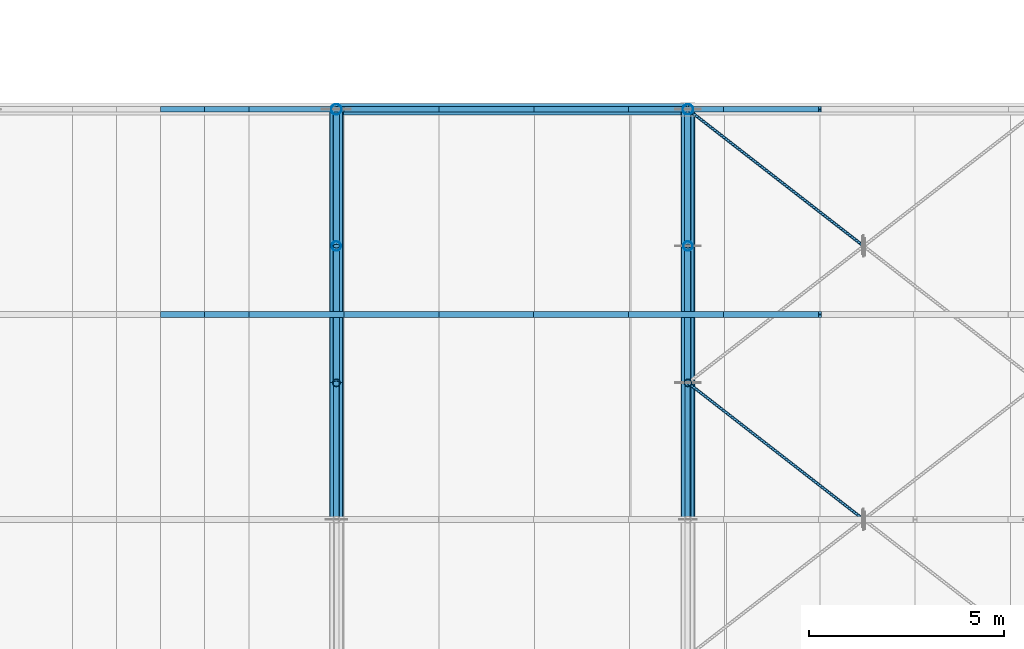
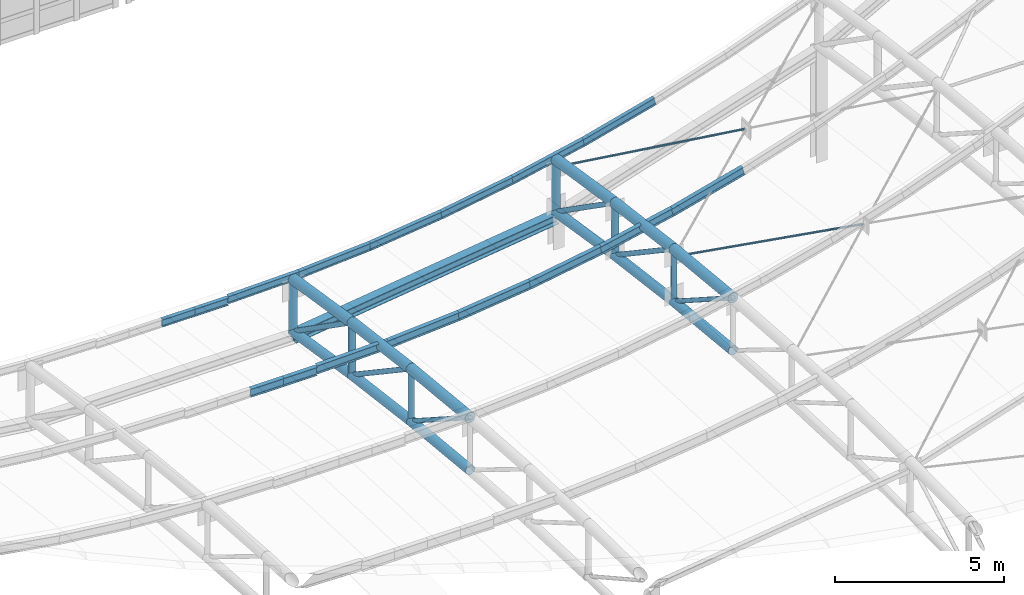
# One storey, part 54 of 262: 42 members, 1 beam.
"""IFC4 building model written with IfcOpenShell, lengths in metres."""

from ifc_helpers import new_model, si_unit, derived_unit, direction, frame, origin, origin_2d, place, context, subcontext, project, spatial, hollow_circle, i_section, extrude, material, material_profile, profile_set, type_object, element, save


model = new_model("IFC4")

# Units and contexts
model_context = context("Model", 3, precision=1e-05, world=origin(), true_north=direction((0.0, 1.0)))
body_context = subcontext(model_context, "Body", "Model", "MODEL_VIEW")
ifc_project = project(units=[si_unit("LENGTHUNIT", "METRE"), si_unit("AREAUNIT", "SQUARE_METRE"), si_unit("VOLUMEUNIT", "CUBIC_METRE"), si_unit("PLANEANGLEUNIT", "RADIAN"), si_unit("MASSUNIT", "GRAM", prefix="KILO"), derived_unit("THERMALTRANSMITTANCEUNIT", [(si_unit("POWERUNIT", "WATT"), 1), (si_unit("LENGTHUNIT", "METRE"), -2), (si_unit("THERMODYNAMICTEMPERATUREUNIT", "KELVIN"), -1)])], contexts=[model_context])

# Site, building, storey
site_placement = place(None, origin())
site = spatial("IfcSite", under=ifc_project, at=site_placement, CompositionType="ELEMENT")
building_placement = place(site_placement, origin())
building = spatial("IfcBuilding", under=site, at=building_placement, Name="Almenara Railside Exhibition Hall", CompositionType="ELEMENT")
storey_placement = place(building_placement, frame((0.0, 0.0, 21.699951171875)))
storey = spatial("IfcBuildingStorey", under=building, at=storey_placement, Name="RF", CompositionType="ELEMENT", Elevation=21.699951171875)

# Members
ifc_material = material(Name="Structural steel S355JR", Category="steel")
ifc_material_profile_1 = material_profile(ifc_material, i_section(OverallWidth=0.14990234375, OverallDepth=0.300048828125, WebThickness=0.007080078125, FlangeThickness=0.0107421875, FilletRadius=0.014892578125, at=origin_2d()), Name="IPE 300")
ifc_profile_set_1 = profile_set([ifc_material_profile_1], Name="Structural steel S355JR")
member_type_1 = type_object("IfcMemberType", Name="East Hall Ridge Purlin IPE 300 S355JR", PredefinedType="PURLIN", material=ifc_profile_set_1)
member_1_placement = place(storey_placement, frame((34.5, 36.75, -7.3916015625), z_axis=(1.0, 0.0, 0.0), x_axis=(0.0, 1.0, 0.0)))
element("IfcMember", 1, at=member_1_placement, inside=storey, type_object=member_type_1, Name="MEM-PR-V4-PR-IPE300-07-14", PredefinedType="PURLIN", context=body_context, shape_type="SweptSolid", body=[
    extrude(i_section(OverallWidth=0.14990234375, OverallDepth=0.300048828125, WebThickness=0.007080078125, FlangeThickness=0.0107421875, FilletRadius=0.014892578125, at=origin_2d()), origin(), (0.0, 0.0, 1.0), 1.1298828125),
])
member_2_placement = place(storey_placement, frame((35.6298828125, 36.75, -7.3916015625), z_axis=(1.0, 0.0, 0.0), x_axis=(0.0, 1.0, 0.0)))
element("IfcMember", 2, at=member_2_placement, inside=storey, type_object=member_type_1, Name="MEM-PR-V4-PR-IPE300-07-15", PredefinedType="PURLIN", context=body_context, shape_type="SweptSolid", body=[
    extrude(i_section(OverallWidth=0.14990234375, OverallDepth=0.300048828125, WebThickness=0.007080078125, FlangeThickness=0.0107421875, FilletRadius=0.014892578125, at=origin_2d()), origin(), (0.0, 0.0, 1.0), 1.129638671875),
])
member_3_placement = place(storey_placement, frame((36.759521484375, 36.75, -7.34130859375), z_axis=(0.999725289903, 0.0, 0.023438104182), x_axis=(0.0, 1.0, 0.0)))
element("IfcMember", 3, at=member_3_placement, inside=storey, type_object=member_type_1, Name="MEM-PR-V4-PR-IPE300-07-16", PredefinedType="PURLIN", context=body_context, shape_type="SweptSolid", body=[
    extrude(i_section(OverallWidth=0.14990234375, OverallDepth=0.300048828125, WebThickness=0.007080078125, FlangeThickness=0.0107421875, FilletRadius=0.014892578125, at=origin_2d()), origin(), (0.0, 0.0, 1.0), 2.4375),
])
member_4_placement = place(storey_placement, frame((39.1962890625, 36.75, -7.28515625), z_axis=(0.997521719737, 0.0, 0.070359211571), x_axis=(0.0, 1.0, 0.0)))
element("IfcMember", 4, at=member_4_placement, inside=storey, type_object=member_type_1, Name="MEM-PR-V4-PR-IPE300-07-17", PredefinedType="PURLIN", context=body_context, shape_type="SweptSolid", body=[
    extrude(i_section(OverallWidth=0.14990234375, OverallDepth=0.300048828125, WebThickness=0.007080078125, FlangeThickness=0.0107421875, FilletRadius=0.014892578125, at=origin_2d()), origin(), (0.0, 0.0, 1.0), 2.44287109375),
])
member_5_placement = place(storey_placement, frame((41.633056640625, 36.75, -7.11474609375), z_axis=(0.993117280569, 0.0, 0.117124152227), x_axis=(0.0, 1.0, 0.0)))
element("IfcMember", 5, at=member_5_placement, inside=storey, type_object=member_type_1, Name="MEM-PR-V4-PR-IPE300-07-18", PredefinedType="PURLIN", context=body_context, shape_type="SweptSolid", body=[
    extrude(i_section(OverallWidth=0.14990234375, OverallDepth=0.300048828125, WebThickness=0.007080078125, FlangeThickness=0.0107421875, FilletRadius=0.014892578125, at=origin_2d()), origin(), (0.0, 0.0, 1.0), 2.453369140625),
])
member_6_placement = place(storey_placement, frame((44.069580078125, 36.75, -6.82958984375), z_axis=(0.986449960692, 0.0, 0.164062412058), x_axis=(0.0, 1.0, 0.0)))
element("IfcMember", 6, at=member_6_placement, inside=storey, type_object=member_type_1, Name="MEM-PR-V4-PR-IPE300-07-19", PredefinedType="PURLIN", context=body_context, shape_type="SweptSolid", body=[
    extrude(i_section(OverallWidth=0.14990234375, OverallDepth=0.300048828125, WebThickness=0.007080078125, FlangeThickness=0.0107421875, FilletRadius=0.014892578125, at=origin_2d()), origin(), (0.0, 0.0, 1.0), 2.47021484375),
])
member_7_placement = place(storey_placement, frame((46.50634765625, 36.75, -6.427734375), z_axis=(0.977496103583, 0.0, 0.210953472309), x_axis=(0.0, 1.0, 0.0)))
element("IfcMember", 7, at=member_7_placement, inside=storey, type_object=member_type_1, Name="MEM-PR-V4-PR-IPE300-07-20", PredefinedType="PURLIN", context=body_context, shape_type="SweptSolid", body=[
    extrude(i_section(OverallWidth=0.14990234375, OverallDepth=0.300048828125, WebThickness=0.007080078125, FlangeThickness=0.0107421875, FilletRadius=0.014892578125, at=origin_2d()), origin(), (0.0, 0.0, 1.0), 2.492919921875),
])
member_8_placement = place(storey_placement, frame((48.943115234375, 36.75, -5.906005859375), z_axis=(0.966201190487, 0.0, 0.257789176462), x_axis=(0.0, 1.0, 0.0)))
element("IfcMember", 8, at=member_8_placement, inside=storey, type_object=member_type_1, Name="MEM-PR-V4-PR-IPE300-07-21", PredefinedType="PURLIN", context=body_context, shape_type="SweptSolid", body=[
    extrude(i_section(OverallWidth=0.14990234375, OverallDepth=0.300048828125, WebThickness=0.007080078125, FlangeThickness=0.0107421875, FilletRadius=0.014892578125, at=origin_2d()), origin(), (0.0, 0.0, 1.0), 2.52197265625),
])
ifc_material_profile_2 = material_profile(ifc_material, i_section(OverallWidth=0.135009765625, OverallDepth=0.27001953125, WebThickness=0.006591796875, FlangeThickness=0.01025390625, FilletRadius=0.014892578125, at=origin_2d()), Name="IPE 270")
ifc_profile_set_2 = profile_set([ifc_material_profile_2], Name="Structural steel S355JR")
member_type_2 = type_object("IfcMemberType", Name="East Hall Standard Purlin IPE 270 S355JR", PredefinedType="PURLIN", material=ifc_profile_set_2)
member_9_placement = place(storey_placement, frame((34.5, 42.0, -8.0546875), z_axis=(1.0, 0.0, 0.0), x_axis=(0.0, 1.0, 0.0)))
element("IfcMember", 9, at=member_9_placement, inside=storey, type_object=member_type_2, Name="MEM-PR-V4-PR-IPE270-08-14", PredefinedType="PURLIN", context=body_context, shape_type="SweptSolid", body=[
    extrude(i_section(OverallWidth=0.135009765625, OverallDepth=0.27001953125, WebThickness=0.006591796875, FlangeThickness=0.01025390625, FilletRadius=0.014892578125, at=origin_2d()), origin(), (0.0, 0.0, 1.0), 1.1298828125),
])
member_10_placement = place(storey_placement, frame((35.6298828125, 42.0, -8.0546875), z_axis=(1.0, 0.0, 0.0), x_axis=(0.0, 1.0, 0.0)))
element("IfcMember", 10, at=member_10_placement, inside=storey, type_object=member_type_2, Name="MEM-PR-V4-PR-IPE270-08-15", PredefinedType="PURLIN", context=body_context, shape_type="SweptSolid", body=[
    extrude(i_section(OverallWidth=0.135009765625, OverallDepth=0.27001953125, WebThickness=0.006591796875, FlangeThickness=0.01025390625, FilletRadius=0.014892578125, at=origin_2d()), origin(), (0.0, 0.0, 1.0), 1.129638671875),
])
member_11_placement = place(storey_placement, frame((36.759521484375, 42.0, -8.00390625), z_axis=(0.999725289903, 0.0, 0.023438104182), x_axis=(0.0, 1.0, 0.0)))
element("IfcMember", 11, at=member_11_placement, inside=storey, type_object=member_type_2, Name="MEM-PR-V4-PR-IPE270-08-16", PredefinedType="PURLIN", context=body_context, shape_type="SweptSolid", body=[
    extrude(i_section(OverallWidth=0.135009765625, OverallDepth=0.27001953125, WebThickness=0.006591796875, FlangeThickness=0.01025390625, FilletRadius=0.014892578125, at=origin_2d()), origin(), (0.0, 0.0, 1.0), 2.4375),
])
member_12_placement = place(storey_placement, frame((39.1962890625, 42.0, -7.947509765625), z_axis=(0.997528729247, 0.0, 0.070259763216), x_axis=(0.0, 1.0, 0.0)))
element("IfcMember", 12, at=member_12_placement, inside=storey, type_object=member_type_2, Name="MEM-PR-V4-PR-IPE270-08-17", PredefinedType="PURLIN", context=body_context, shape_type="SweptSolid", body=[
    extrude(i_section(OverallWidth=0.135009765625, OverallDepth=0.27001953125, WebThickness=0.006591796875, FlangeThickness=0.01025390625, FilletRadius=0.014892578125, at=origin_2d()), origin(), (0.0, 0.0, 1.0), 2.44287109375),
])
member_13_placement = place(storey_placement, frame((41.633056640625, 42.0, -7.77734375), z_axis=(0.993105700961, 0.0, 0.117222296166), x_axis=(0.0, 1.0, 0.0)))
element("IfcMember", 13, at=member_13_placement, inside=storey, type_object=member_type_2, Name="MEM-PR-V4-PR-IPE270-08-18", PredefinedType="PURLIN", context=body_context, shape_type="SweptSolid", body=[
    extrude(i_section(OverallWidth=0.135009765625, OverallDepth=0.27001953125, WebThickness=0.006591796875, FlangeThickness=0.01025390625, FilletRadius=0.014892578125, at=origin_2d()), origin(), (0.0, 0.0, 1.0), 2.453369140625),
])
member_14_placement = place(storey_placement, frame((44.069580078125, 42.0, -7.4921875), z_axis=(0.986449960692, 0.0, 0.164062412058), x_axis=(0.0, 1.0, 0.0)))
element("IfcMember", 14, at=member_14_placement, inside=storey, type_object=member_type_2, Name="MEM-PR-V4-PR-IPE270-08-19", PredefinedType="PURLIN", context=body_context, shape_type="SweptSolid", body=[
    extrude(i_section(OverallWidth=0.135009765625, OverallDepth=0.27001953125, WebThickness=0.006591796875, FlangeThickness=0.01025390625, FilletRadius=0.014892578125, at=origin_2d()), origin(), (0.0, 0.0, 1.0), 2.47021484375),
])
member_15_placement = place(storey_placement, frame((46.50634765625, 42.0, -7.08984375), z_axis=(0.977516294467, 0.0, 0.210859891994), x_axis=(0.0, 1.0, 0.0)))
element("IfcMember", 15, at=member_15_placement, inside=storey, type_object=member_type_2, Name="MEM-PR-V4-PR-IPE270-08-20", PredefinedType="PURLIN", context=body_context, shape_type="SweptSolid", body=[
    extrude(i_section(OverallWidth=0.135009765625, OverallDepth=0.27001953125, WebThickness=0.006591796875, FlangeThickness=0.01025390625, FilletRadius=0.014892578125, at=origin_2d()), origin(), (0.0, 0.0, 1.0), 2.492919921875),
])
member_16_placement = place(storey_placement, frame((48.943115234375, 42.0, -6.568115234375), z_axis=(0.966201190487, 0.0, 0.257789176462), x_axis=(0.0, 1.0, 0.0)))
element("IfcMember", 16, at=member_16_placement, inside=storey, type_object=member_type_2, Name="MEM-PR-V4-PR-IPE270-08-21", PredefinedType="PURLIN", context=body_context, shape_type="SweptSolid", body=[
    extrude(i_section(OverallWidth=0.135009765625, OverallDepth=0.27001953125, WebThickness=0.006591796875, FlangeThickness=0.01025390625, FilletRadius=0.014892578125, at=origin_2d()), origin(), (0.0, 0.0, 1.0), 2.52197265625),
])
ifc_material_profile_3 = material_profile(ifc_material, hollow_circle(Radius=0.0380859375, WallThickness=0.003662109375, at=origin_2d()), Name="CHS 76.1x3.6")
ifc_profile_set_3 = profile_set([ifc_material_profile_3], Name="Structural steel S355JR")
member_type_3 = type_object("IfcMemberType", Name="Lantern Cross-Tie Brace CHS 76.1x3.6 S355JR", PredefinedType="BRACE", material=ifc_profile_set_3)
member_17_placement = place(storey_placement, frame((48.0, 35.0, -6.150634765625), z_axis=(0.755120122258, -0.587320234966, 0.291287731567), x_axis=(0.613943599375, 0.789349895031, 0.0)))
element("IfcMember", 17, at=member_17_placement, inside=storey, type_object=member_type_3, Name="MEM-WB-V4-WB-CHS76-05-08-S1", PredefinedType="BRACE", context=body_context, shape_type="SweptSolid", body=[
    extrude(hollow_circle(Radius=0.0380859375, WallThickness=0.003662109375, at=origin_2d()), origin(), (0.0, 0.0, 1.0), 5.917236328125),
])
member_18_placement = place(storey_placement, frame((48.0, 42.0, -7.150634765625), z_axis=(0.74742654043, -0.581345365763, 0.321544915006), x_axis=(0.613949570528, 0.789345250729, 0.0)))
element("IfcMember", 18, at=member_18_placement, inside=storey, type_object=member_type_3, Name="MEM-WB-V4-WB-CHS76-05-10-S1", PredefinedType="BRACE", context=body_context, shape_type="SweptSolid", body=[
    extrude(hollow_circle(Radius=0.0380859375, WallThickness=0.003662109375, at=origin_2d()), origin(), (0.0, 0.0, 1.0), 5.978515625),
])
ifc_material_profile_4 = material_profile(ifc_material, hollow_circle(Radius=0.161865234375, WallThickness=0.010009765625, at=origin_2d()), Name="CHS 323.9x10")
ifc_profile_set_4 = profile_set([ifc_material_profile_4], Name="Structural steel S355JR")
member_type_4 = type_object("IfcMemberType", Name="Plenary Truss Bottom Chord CHS 323.9x10 S355JR", PredefinedType="CHORD", material=ifc_profile_set_4)
member_19_placement = place(storey_placement, frame((39.0, 31.5, -8.6015625), z_axis=(0.0, 0.995034440995, -0.099531207337), x_axis=(-1.0, 0.0, 0.0)))
element("IfcMember", 19, at=member_19_placement, inside=storey, type_object=member_type_4, Name="MEM-BC-V4-04-09", PredefinedType="CHORD", context=body_context, shape_type="SweptSolid", body=[
    extrude(hollow_circle(Radius=0.161865234375, WallThickness=0.010009765625, at=origin_2d()), origin(), (0.0, 0.0, 1.0), 3.517578125),
])
member_20_placement = place(storey_placement, frame((39.0, 35.0, -8.95166015625), z_axis=(0.0, 0.991837525329, -0.127508130523), x_axis=(-1.0, 0.0, 0.0)))
element("IfcMember", 20, at=member_20_placement, inside=storey, type_object=member_type_4, Name="MEM-BC-V4-04-10", PredefinedType="CHORD", context=body_context, shape_type="SweptSolid", body=[
    extrude(hollow_circle(Radius=0.161865234375, WallThickness=0.010009765625, at=origin_2d()), origin(), (0.0, 0.0, 1.0), 3.52880859375),
])
member_21_placement = place(storey_placement, frame((39.0, 38.5, -9.401611328125), z_axis=(0.0, 0.987875011802, -0.155251283593), x_axis=(-1.0, 0.0, 0.0)))
element("IfcMember", 21, at=member_21_placement, inside=storey, type_object=member_type_4, Name="MEM-BC-V4-04-11", PredefinedType="CHORD", context=body_context, shape_type="SweptSolid", body=[
    extrude(hollow_circle(Radius=0.161865234375, WallThickness=0.010009765625, at=origin_2d()), origin(), (0.0, 0.0, 1.0), 3.54296875),
])
member_22_placement = place(storey_placement, frame((48.0, 31.5, -7.420654296875), z_axis=(0.0, 0.995041312637, -0.09946248612), x_axis=(-1.0, 0.0, 0.0)))
element("IfcMember", 22, at=member_22_placement, inside=storey, type_object=member_type_4, Name="MEM-BC-V4-05-09", PredefinedType="CHORD", context=body_context, shape_type="SweptSolid", body=[
    extrude(hollow_circle(Radius=0.161865234375, WallThickness=0.010009765625, at=origin_2d()), origin(), (0.0, 0.0, 1.0), 3.517333984375),
])
member_23_placement = place(storey_placement, frame((48.0, 35.0, -7.7705078125), z_axis=(0.0, 0.991837525329, -0.127508130523), x_axis=(-1.0, 0.0, 0.0)))
element("IfcMember", 23, at=member_23_placement, inside=storey, type_object=member_type_4, Name="MEM-BC-V4-05-10", PredefinedType="CHORD", context=body_context, shape_type="SweptSolid", body=[
    extrude(hollow_circle(Radius=0.161865234375, WallThickness=0.010009765625, at=origin_2d()), origin(), (0.0, 0.0, 1.0), 3.52880859375),
])
member_24_placement = place(storey_placement, frame((48.0, 38.5, -8.220458984375), z_axis=(0.0, 0.987875011802, -0.155251283593), x_axis=(-1.0, 0.0, 0.0)))
element("IfcMember", 24, at=member_24_placement, inside=storey, type_object=member_type_4, Name="MEM-BC-V4-05-11", PredefinedType="CHORD", context=body_context, shape_type="SweptSolid", body=[
    extrude(hollow_circle(Radius=0.161865234375, WallThickness=0.010009765625, at=origin_2d()), origin(), (0.0, 0.0, 1.0), 3.54296875),
])
ifc_material_profile_5 = material_profile(ifc_material, hollow_circle(Radius=0.177734375, WallThickness=0.012451171875, at=origin_2d()), Name="CHS 355.6x12.5")
ifc_profile_set_5 = profile_set([ifc_material_profile_5], Name="Structural steel S355JR")
member_type_5 = type_object("IfcMemberType", Name="Plenary Truss Top Chord CHS 355.6x12.5 S355JR", PredefinedType="CHORD", material=ifc_profile_set_5)
member_25_placement = place(storey_placement, frame((39.0, 31.5, -6.70166015625), z_axis=(0.0, 0.995034440995, -0.099531207337), x_axis=(-1.0, 0.0, 0.0)))
element("IfcMember", 25, at=member_25_placement, inside=storey, type_object=member_type_5, Name="MEM-TC-V4-04-09", PredefinedType="CHORD", context=body_context, shape_type="SweptSolid", body=[
    extrude(hollow_circle(Radius=0.177734375, WallThickness=0.012451171875, at=origin_2d()), origin(), (0.0, 0.0, 1.0), 3.517578125),
])
member_26_placement = place(storey_placement, frame((39.0, 35.0, -7.0517578125), z_axis=(0.0, 0.991837525329, -0.127508130523), x_axis=(-1.0, 0.0, 0.0)))
element("IfcMember", 26, at=member_26_placement, inside=storey, type_object=member_type_5, Name="MEM-TC-V4-04-10", PredefinedType="CHORD", context=body_context, shape_type="SweptSolid", body=[
    extrude(hollow_circle(Radius=0.177734375, WallThickness=0.012451171875, at=origin_2d()), origin(), (0.0, 0.0, 1.0), 3.52880859375),
])
member_27_placement = place(storey_placement, frame((39.0, 38.5, -7.501708984375), z_axis=(0.0, 0.987875011802, -0.155251283593), x_axis=(-1.0, 0.0, 0.0)))
element("IfcMember", 27, at=member_27_placement, inside=storey, type_object=member_type_5, Name="MEM-TC-V4-04-11", PredefinedType="CHORD", context=body_context, shape_type="SweptSolid", body=[
    extrude(hollow_circle(Radius=0.177734375, WallThickness=0.012451171875, at=origin_2d()), origin(), (0.0, 0.0, 1.0), 3.54296875),
])
member_28_placement = place(storey_placement, frame((48.0, 31.5, -5.5205078125), z_axis=(0.0, 0.995034440995, -0.099531207337), x_axis=(-1.0, 0.0, 0.0)))
element("IfcMember", 28, at=member_28_placement, inside=storey, type_object=member_type_5, Name="MEM-TC-V4-05-09", PredefinedType="CHORD", context=body_context, shape_type="SweptSolid", body=[
    extrude(hollow_circle(Radius=0.177734375, WallThickness=0.012451171875, at=origin_2d()), origin(), (0.0, 0.0, 1.0), 3.517578125),
])
member_29_placement = place(storey_placement, frame((48.0, 35.0, -5.87060546875), z_axis=(0.0, 0.991837525329, -0.127508130523), x_axis=(-1.0, 0.0, 0.0)))
element("IfcMember", 29, at=member_29_placement, inside=storey, type_object=member_type_5, Name="MEM-TC-V4-05-10", PredefinedType="CHORD", context=body_context, shape_type="SweptSolid", body=[
    extrude(hollow_circle(Radius=0.177734375, WallThickness=0.012451171875, at=origin_2d()), origin(), (0.0, 0.0, 1.0), 3.52880859375),
])
member_30_placement = place(storey_placement, frame((48.0, 38.5, -6.320556640625), z_axis=(0.0, 0.987875011802, -0.155251283593), x_axis=(-1.0, 0.0, 0.0)))
element("IfcMember", 30, at=member_30_placement, inside=storey, type_object=member_type_5, Name="MEM-TC-V4-05-11", PredefinedType="CHORD", context=body_context, shape_type="SweptSolid", body=[
    extrude(hollow_circle(Radius=0.177734375, WallThickness=0.012451171875, at=origin_2d()), origin(), (0.0, 0.0, 1.0), 3.54296875),
])

# Beam
ifc_material_profile_6 = material_profile(ifc_material, i_section(OverallWidth=0.300048828125, OverallDepth=0.360107421875, WebThickness=0.012451171875, FlangeThickness=0.0224609375, FilletRadius=0.027099609375, at=origin_2d()), Name="HEB 360")
ifc_profile_set_6 = profile_set([ifc_material_profile_6], Name="Structural steel S355JR")
beam_type = type_object("IfcBeamType", Name="Steel Portal Girder HEB 360 S355JR", PredefinedType="USERDEFINED", material=ifc_profile_set_6)
beam_placement = place(storey_placement, frame((39.0, 42.0, -10.131591796875), z_axis=(0.991497815941, 0.0, 0.130123329902), x_axis=(0.0, 1.0, 0.0)))
element("IfcBeam", 31, at=beam_placement, inside=storey, type_object=beam_type, Name="Beam 0998", ObjectType="GIRDER", PredefinedType="USERDEFINED", context=body_context, shape_type="SweptSolid", body=[
    extrude(i_section(OverallWidth=0.300048828125, OverallDepth=0.360107421875, WebThickness=0.012451171875, FlangeThickness=0.0224609375, FilletRadius=0.027099609375, at=origin_2d()), origin(), (0.0, 0.0, 1.0), 9.0771484375),
])

# Members
ifc_material_profile_7 = material_profile(ifc_material, hollow_circle(Radius=0.084228515625, WallThickness=0.006103515625, at=origin_2d()), Name="CHS 168.3x6")
ifc_profile_set_7 = profile_set([ifc_material_profile_7], Name="Structural steel S355JR")
member_type_6 = type_object("IfcMemberType", Name="Truss End Diagonal CHS 168.3x6 S355JR", PredefinedType="BRACE", material=ifc_profile_set_7)
member_31_placement = place(storey_placement, frame((39.0, 35.0, -7.0517578125), z_axis=(0.0, 0.830237211538, -0.557410237238), x_axis=(-1.0, 0.0, 0.0)))
element("IfcMember", 32, at=member_31_placement, inside=storey, type_object=member_type_6, Name="MEM-TD-V4-04-10", PredefinedType="BRACE", context=body_context, shape_type="SweptSolid", body=[
    extrude(hollow_circle(Radius=0.084228515625, WallThickness=0.006103515625, at=origin_2d()), origin(), (0.0, 0.0, 1.0), 4.215576171875),
])
member_32_placement = place(storey_placement, frame((39.0, 38.5, -7.501708984375), z_axis=(0.0, 0.819237289855, -0.573454673807), x_axis=(-1.0, 0.0, 0.0)))
element("IfcMember", 33, at=member_32_placement, inside=storey, type_object=member_type_6, Name="MEM-TD-V4-04-11", PredefinedType="BRACE", context=body_context, shape_type="SweptSolid", body=[
    extrude(hollow_circle(Radius=0.084228515625, WallThickness=0.006103515625, at=origin_2d()), origin(), (0.0, 0.0, 1.0), 4.272216796875),
])
member_33_placement = place(storey_placement, frame((48.0, 35.0, -5.87060546875), z_axis=(0.0, 0.830237211538, -0.557410237238), x_axis=(-1.0, 0.0, 0.0)))
element("IfcMember", 34, at=member_33_placement, inside=storey, type_object=member_type_6, Name="MEM-TD-V4-05-10", PredefinedType="BRACE", context=body_context, shape_type="SweptSolid", body=[
    extrude(hollow_circle(Radius=0.084228515625, WallThickness=0.006103515625, at=origin_2d()), origin(), (0.0, 0.0, 1.0), 4.215576171875),
])
member_34_placement = place(storey_placement, frame((48.0, 38.5, -6.320556640625), z_axis=(0.0, 0.819237289855, -0.573454673807), x_axis=(-1.0, 0.0, 0.0)))
element("IfcMember", 35, at=member_34_placement, inside=storey, type_object=member_type_6, Name="MEM-TD-V4-05-11", PredefinedType="BRACE", context=body_context, shape_type="SweptSolid", body=[
    extrude(hollow_circle(Radius=0.084228515625, WallThickness=0.006103515625, at=origin_2d()), origin(), (0.0, 0.0, 1.0), 4.272216796875),
])
ifc_material_profile_8 = material_profile(ifc_material, hollow_circle(Radius=0.122314453125, WallThickness=0.008056640625, at=origin_2d()), Name="CHS 244.5x8")
ifc_profile_set_8 = profile_set([ifc_material_profile_8], Name="Structural steel S355JR")
member_type_7 = type_object("IfcMemberType", Name="Truss Haunch Vertical Strut CHS 244.5x8 S355JR", PredefinedType="BRACE", material=ifc_profile_set_8)
for number, where, z_axis, x_axis, name in (
    (36, (39.0, 38.5, -9.401611328125), (0.0, 0.0, 1.0), (1.0, 0.0, 0.0), "MEM-TV-V4-04-11"),
    (37, (48.0, 38.5, -8.220458984375), (0.0, 0.0, 1.0), (1.0, 0.0, 0.0), "MEM-TV-V4-05-11"),
):
    element("IfcMember", number, at=place(storey_placement, frame(where, z_axis=z_axis, x_axis=x_axis)), inside=storey, type_object=member_type_7, Name=name, PredefinedType="BRACE", context=body_context, shape_type="SweptSolid", body=[
        extrude(hollow_circle(Radius=0.122314453125, WallThickness=0.008056640625, at=origin_2d()), origin(), (0.0, 0.0, 1.0), 1.89990234375),
    ])
ifc_material_profile_9 = material_profile(ifc_material, hollow_circle(Radius=0.076171875, WallThickness=0.0048828125, at=origin_2d()), Name="CHS 152.4x5")
ifc_profile_set_9 = profile_set([ifc_material_profile_9], Name="Structural steel S355JR")
member_type_8 = type_object("IfcMemberType", Name="Truss Mid Diagonal CHS 152.4x5 S355JR", PredefinedType="BRACE", material=ifc_profile_set_9)
for number, where, z_axis, x_axis, name in (
    (38, (39.0, 31.5, -6.70166015625), (0.0, 0.841178475377, -0.540757591313), (-1.0, 0.0, 0.0), "MEM-TD-V4-04-09"),
    (39, (48.0, 31.5, -5.5205078125), (0.0, 0.841178475377, -0.540757591313), (-1.0, 0.0, 0.0), "MEM-TD-V4-05-09"),
):
    element("IfcMember", number, at=place(storey_placement, frame(where, z_axis=z_axis, x_axis=x_axis)), inside=storey, type_object=member_type_8, Name=name, PredefinedType="BRACE", context=body_context, shape_type="SweptSolid", body=[
        extrude(hollow_circle(Radius=0.076171875, WallThickness=0.0048828125, at=origin_2d()), origin(), (0.0, 0.0, 1.0), 4.160888671875),
    ])
ifc_material_profile_10 = material_profile(ifc_material, hollow_circle(Radius=0.096923828125, WallThickness=0.00634765625, at=origin_2d()), Name="CHS 193.7x6.3")
ifc_profile_set_10 = profile_set([ifc_material_profile_10], Name="Structural steel S355JR")
member_type_9 = type_object("IfcMemberType", Name="Truss Standard Vertical Strut CHS 193.7x6.3 S355JR", PredefinedType="BRACE", material=ifc_profile_set_10)
for number, where, z_axis, x_axis, name in (
    (40, (39.0, 35.0, -8.95166015625), (0.0, 0.0, 1.0), (1.0, 0.0, 0.0), "MEM-TV-V4-04-10"),
    (41, (48.0, 35.0, -7.7705078125), (0.0, 0.0, 1.0), (1.0, 0.0, 0.0), "MEM-TV-V4-05-10"),
):
    element("IfcMember", number, at=place(storey_placement, frame(where, z_axis=z_axis, x_axis=x_axis)), inside=storey, type_object=member_type_9, Name=name, PredefinedType="BRACE", context=body_context, shape_type="SweptSolid", body=[
        extrude(hollow_circle(Radius=0.096923828125, WallThickness=0.00634765625, at=origin_2d()), origin(), (0.0, 0.0, 1.0), 1.89990234375),
    ])
ifc_material_profile_11 = material_profile(ifc_material, hollow_circle(Radius=0.136474609375, WallThickness=0.008056640625, at=origin_2d()), Name="CHS 273x8")
ifc_profile_set_11 = profile_set([ifc_material_profile_11], Name="Structural steel S355JR")
member_type_10 = type_object("IfcMemberType", Name="Truss Support Vertical Strut CHS 273x8 S355JR", PredefinedType="BRACE", material=ifc_profile_set_11)
for number, where, z_axis, x_axis, name in (
    (42, (39.0, 42.0, -9.95166015625), (0.0, 0.0, 1.0), (1.0, 0.0, 0.0), "MEM-TV-V4-04-12"),
    (43, (48.0, 42.0, -8.7705078125), (0.0, 0.0, 1.0), (1.0, 0.0, 0.0), "MEM-TV-V4-05-12"),
):
    element("IfcMember", number, at=place(storey_placement, frame(where, z_axis=z_axis, x_axis=x_axis)), inside=storey, type_object=member_type_10, Name=name, PredefinedType="BRACE", context=body_context, shape_type="SweptSolid", body=[
        extrude(hollow_circle(Radius=0.136474609375, WallThickness=0.008056640625, at=origin_2d()), origin(), (0.0, 0.0, 1.0), 1.89990234375),
    ])

save(model, "model.ifc")
